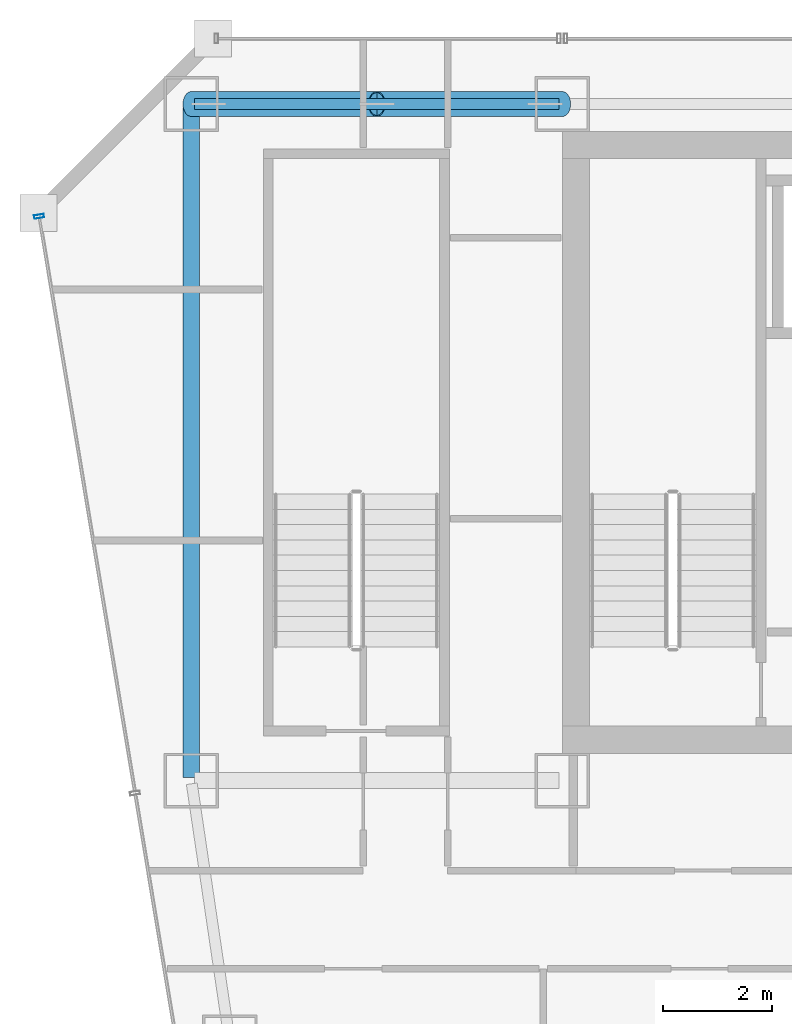
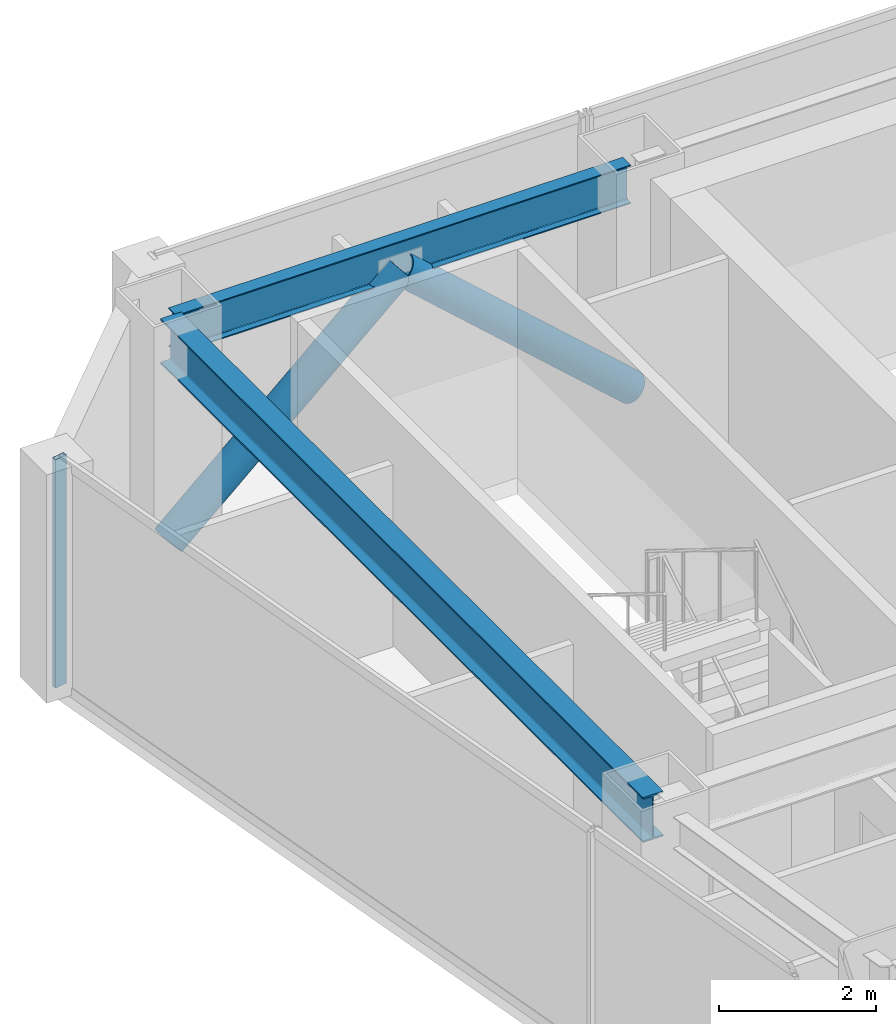
# One storey, part 21 of 38: 3 members, 2 beams, 1 element without a shape of its own.
"""IFC4 building model written with IfcOpenShell, lengths in metres."""

from ifc_helpers import new_model, si_unit, direction, frame, origin, origin_2d, place, context, subcontext, project, spatial, hollow_rectangle, hollow_circle, i_section, extrude, material, material_profile, profile_set, type_object, element, aggregate, save


model = new_model("IFC4")

# Units and contexts
model_context = context("Model", 3, precision=1e-05, world=origin(), true_north=direction((0.0, 1.0)))
body_context = subcontext(model_context, "Body", "Model", "MODEL_VIEW")
ifc_project = project(units=[si_unit("LENGTHUNIT", "METRE"), si_unit("AREAUNIT", "SQUARE_METRE"), si_unit("VOLUMEUNIT", "CUBIC_METRE"), si_unit("PLANEANGLEUNIT", "RADIAN"), si_unit("MASSUNIT", "GRAM", prefix="KILO")], contexts=[model_context])

# Site, building, storey
site_placement = place(None, origin())
site = spatial("IfcSite", under=ifc_project, at=site_placement, CompositionType="ELEMENT")
building_placement = place(site_placement, origin())
building = spatial("IfcBuilding", under=site, at=building_placement, Name="Saevonmaru Cultural Tower", CompositionType="ELEMENT")
storey_placement = place(building_placement, frame((0.0, 0.0, 133.39990234375)))
storey = spatial("IfcBuildingStorey", under=building, at=storey_placement, Name="L28", CompositionType="ELEMENT", Elevation=133.39990234375)

# Beams
ifc_material_1 = material(Name="Steel SM355", Category="steel")
ifc_material_profile_1 = material_profile(ifc_material_1, i_section(OverallWidth=0.300048828125, OverallDepth=0.699951171875, WebThickness=0.012939453125, FlangeThickness=0.02392578125, FilletRadius=0.02587890625, at=origin_2d()), Name="H-700x300x13x24")
ifc_profile_set_1 = profile_set([ifc_material_profile_1], Name="Steel SM355")
beam_type_1 = type_object("IfcBeamType", Name="BM-G-H700", PredefinedType="BEAM", material=ifc_profile_set_1)
beam_1_placement = place(storey_placement, frame((6.800048828125, 54.739990234375, 3.2001953125), z_axis=(0.0, -1.0, 0.0), x_axis=(1.0, 0.0, 0.0)))
element("IfcBeam", 1, at=beam_1_placement, inside=storey, type_object=beam_type_1, Name="L28 Spine Transverse Girder W", PredefinedType="BEAM", context=body_context, shape_type="SweptSolid", body=[
    extrude(i_section(OverallWidth=0.300048828125, OverallDepth=0.699951171875, WebThickness=0.012939453125, FlangeThickness=0.02392578125, FilletRadius=0.02587890625, at=origin_2d()), origin(), (0.0, 0.0, 1.0), 12.280029296875),
])
ifc_material_profile_2 = material_profile(ifc_material_1, i_section(OverallWidth=0.199951171875, OverallDepth=0.60009765625, WebThickness=0.010986328125, FlangeThickness=0.01708984375, FilletRadius=0.02197265625, at=origin_2d()), Name="H-600x200x11x17")
ifc_profile_set_2 = profile_set([ifc_material_profile_2], Name="Steel SM355")
beam_type_2 = type_object("IfcBeamType", Name="BM-SP-H600", PredefinedType="SPANDREL", material=ifc_profile_set_2)
beam_2_placement = place(storey_placement, frame((6.860107421875, 54.800048828125, 3.25), z_axis=(1.0, 0.0, 0.0), x_axis=(0.0, 1.0, 0.0)))
element("IfcBeam", 2, at=beam_2_placement, inside=storey, type_object=beam_type_2, Name="L28 North Spine Girder 1", PredefinedType="SPANDREL", context=body_context, shape_type="SweptSolid", body=[
    extrude(i_section(OverallWidth=0.199951171875, OverallDepth=0.60009765625, WebThickness=0.010986328125, FlangeThickness=0.01708984375, FilletRadius=0.02197265625, at=origin_2d()), origin(), (0.0, 0.0, 1.0), 6.679931640625),
])

# Members
ifc_material_2 = material(Name="Steel SM420", Category="steel")
ifc_material_profile_3 = material_profile(ifc_material_2, hollow_circle(Radius=0.228515625, WallThickness=0.02001953125, at=origin_2d()), Name="CHS-457.2x20")
ifc_profile_set_3 = profile_set([ifc_material_profile_3], Name="Steel SM420")
member_type_1 = type_object("IfcMemberType", Name="MB-PBR-CHS457", PredefinedType="BRACE", material=ifc_profile_set_3)
for number, where, z_axis, x_axis, name in (
    (3, (6.800048828125, 54.800048828125, 0.02001953125), (0.744366945704, 0.0, 0.667770806597), (0.0, 1.0, 0.0), "L28 Perimeter Braced-Tube Diagonal WN1"),
    (4, (13.60009765625, 54.800048828125, 0.02001953125), (-0.744390779303, 0.0, 0.66774423823), (0.0, -1.0, 0.0), "L28 Perimeter Braced-Tube Diagonal WN2"),
):
    element("IfcMember", number, at=place(storey_placement, frame(where, z_axis=z_axis, x_axis=x_axis)), inside=storey, type_object=member_type_1, Name=name, PredefinedType="BRACE", context=body_context, shape_type="SweptSolid", body=[
        extrude(hollow_circle(Radius=0.228515625, WallThickness=0.02001953125, at=origin_2d()), origin(), (0.0, 0.0, 1.0), 4.567626953125),
    ])

# Curtain wall, member
ifc_material_3 = material(Name="Satin Bronze Anodised Aluminium", Category="aluminium")
curtain_wall_type = type_object("IfcCurtainWallType", Name="CW-TYP-A", PredefinedType="NOTDEFINED", material=ifc_material_3)
curtain_wall_placement = place(storey_placement, origin())
curtain_wall = element("IfcCurtainWall", 5, at=curtain_wall_placement, inside=storey, type_object=curtain_wall_type, Name="L28 Unitised Curtain Wall E12", PredefinedType="NOTDEFINED")
ifc_material_profile_4 = material_profile(ifc_material_3, hollow_rectangle(XDim=0.06494140625, YDim=0.179931640625, WallThickness=0.00390625, at=origin_2d()), Name="ALU-MULL-180x65x4")
ifc_profile_set_4 = profile_set([ifc_material_profile_4], Name="Satin Bronze Anodised Aluminium")
member_type_2 = type_object("IfcMemberType", Name="ML-CW-180x65", PredefinedType="MULLION", material=ifc_profile_set_4)
member_placement = place(storey_placement, frame((4.009765625, 52.74072265625, 0.0), z_axis=(0.0, 0.0, 1.0), x_axis=(0.163998702345, -0.986460554523, 0.0)))
member = element("IfcMember", 6, at=member_placement, type_object=member_type_2, Name="CW-TW-L28-E12 mullion 1", PredefinedType="MULLION", context=body_context, shape_type="SweptSolid", body=[
    extrude(hollow_rectangle(XDim=0.06494140625, YDim=0.179931640625, WallThickness=0.00390625, at=origin_2d()), origin(), (0.0, 0.0, 1.0), 3.550048828125),
])
aggregate(curtain_wall, [member])

save(model, "model.ifc")
